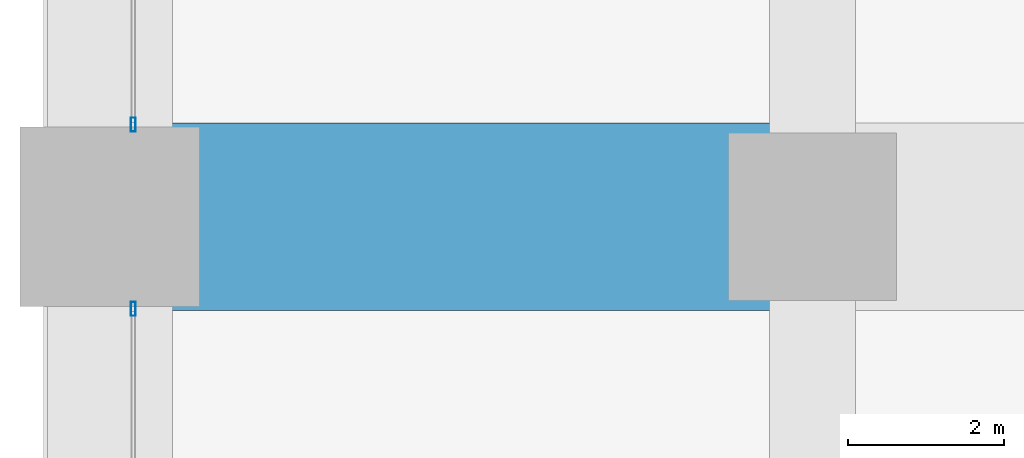
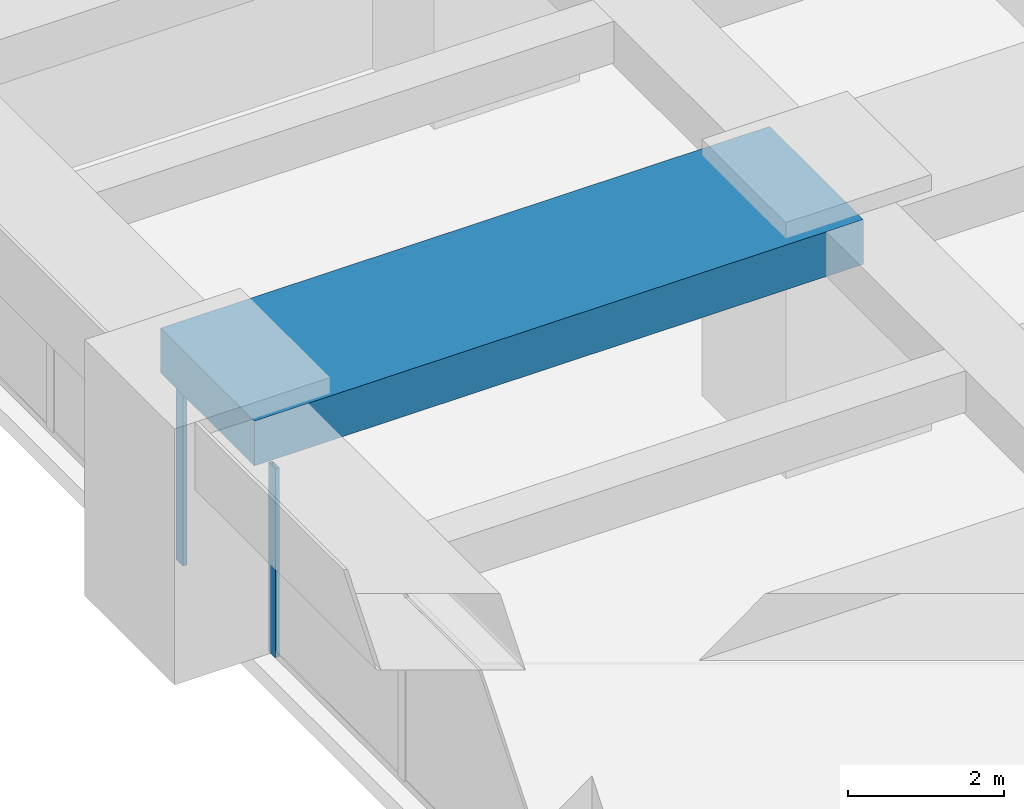
# One storey, part 10 of 44: 2 members, 1 beam, 2 elements without a shape of their own.
"""IFC4 building model written with IfcOpenShell, lengths in metres."""

from ifc_helpers import new_model, si_unit, direction, frame, origin, origin_2d, place, context, subcontext, project, spatial, rectangle, hollow_rectangle, extrude, material, material_profile, profile_set, type_object, element, aggregate, save


model = new_model("IFC4")

# Units and contexts
model_context = context("Model", 3, precision=1e-05, world=origin(), true_north=direction((0.0, 1.0)))
body_context = subcontext(model_context, "Body", "Model", "MODEL_VIEW")
ifc_project = project(units=[si_unit("LENGTHUNIT", "METRE"), si_unit("AREAUNIT", "SQUARE_METRE"), si_unit("VOLUMEUNIT", "CUBIC_METRE"), si_unit("PLANEANGLEUNIT", "RADIAN"), si_unit("MASSUNIT", "GRAM", prefix="KILO")], contexts=[model_context])

# Site, building, storey
site_placement = place(None, origin())
site = spatial("IfcSite", under=ifc_project, at=site_placement, CompositionType="ELEMENT")
building_placement = place(site_placement, origin())
building = spatial("IfcBuilding", under=site, at=building_placement, Name="Zorevar Civic Tower", CompositionType="ELEMENT")
storey_placement = place(building_placement, frame((0.0, 0.0, 63.800048828125)))
storey = spatial("IfcBuildingStorey", under=building, at=storey_placement, Name="L15", CompositionType="ELEMENT", Elevation=63.800048828125)

# Beam
ifc_material_1 = material(Name="Concrete C50/60", Category="concrete")
ifc_material_profile_1 = material_profile(ifc_material_1, rectangle(XDim=2.39990234375, YDim=0.699951171875, at=origin_2d()), Name="RC 2400x700")
ifc_profile_set_1 = profile_set([ifc_material_profile_1], Name="Concrete C50/60")
beam_type = type_object("IfcBeamType", Name="Beam RC 2400x700", PredefinedType="BEAM", material=ifc_profile_set_1)
beam_placement = place(storey_placement, frame((0.0, 27.0, 3.39990234375), z_axis=(1.0, 0.0, 0.0), x_axis=(0.0, 1.0, 0.0)))
element("IfcBeam", 1, at=beam_placement, inside=storey, type_object=beam_type, Name="Girder L16", PredefinedType="BEAM", context=body_context, shape_type="SweptSolid", body=[
    extrude(rectangle(XDim=2.39990234375, YDim=0.699951171875, at=origin_2d()), origin(), (0.0, 0.0, 1.0), 9.0),
])

# Curtain wall, member
ifc_material_2 = material(Name="Dark grey solar-control glass in black aluminium frame", Category="aluminium")
curtain_wall_type = type_object("IfcCurtainWallType", Name="Curtain wall CW2 low zone", PredefinedType="NOTDEFINED", material=ifc_material_2)
curtain_wall_1_placement = place(storey_placement, origin())
curtain_wall_1 = element("IfcCurtainWall", 2, at=curtain_wall_1_placement, inside=storey, type_object=curtain_wall_type, Name="CW2 L15", PredefinedType="NOTDEFINED")
ifc_material_3 = material(Name="Aluminium, black anodised", Category="aluminium")
ifc_material_profile_2 = material_profile(ifc_material_3, hollow_rectangle(XDim=0.06005859375, YDim=0.179931640625, WallThickness=0.00390625, at=origin_2d()), Name="AL 180x60x4")
ifc_profile_set_2 = profile_set([ifc_material_profile_2], Name="Aluminium, black anodised")
member_type = type_object("IfcMemberType", Name="CW2 mullion AL 180x60x4", PredefinedType="MULLION", material=ifc_profile_set_2)
member_1_placement = place(storey_placement, frame((0.300048828125, 25.820068359375, 0.0), z_axis=(0.0, 0.0, 1.0), x_axis=(-1.0, 0.0, 0.0)))
member_1 = element("IfcMember", 3, at=member_1_placement, type_object=member_type, Name="CW2 mullion 3", PredefinedType="MULLION", context=body_context, shape_type="SweptSolid", body=[
    extrude(hollow_rectangle(XDim=0.06005859375, YDim=0.179931640625, WallThickness=0.00390625, at=origin_2d()), origin(), (0.0, 0.0, 1.0), 2.949951171875),
])
aggregate(curtain_wall_1, [member_1])

curtain_wall_2_placement = place(storey_placement, origin())
curtain_wall_2 = element("IfcCurtainWall", 4, at=curtain_wall_2_placement, inside=storey, type_object=curtain_wall_type, Name="CW2 L15", PredefinedType="NOTDEFINED")
member_2_placement = place(storey_placement, frame((0.300048828125, 28.179931640625, 0.0), z_axis=(0.0, 0.0, 1.0), x_axis=(-1.0, 0.0, 0.0)))
member_2 = element("IfcMember", 5, at=member_2_placement, type_object=member_type, Name="CW2 mullion 1", PredefinedType="MULLION", context=body_context, shape_type="SweptSolid", body=[
    extrude(hollow_rectangle(XDim=0.06005859375, YDim=0.179931640625, WallThickness=0.00390625, at=origin_2d()), origin(), (0.0, 0.0, 1.0), 2.949951171875),
])
aggregate(curtain_wall_2, [member_2])

save(model, "model.ifc")
